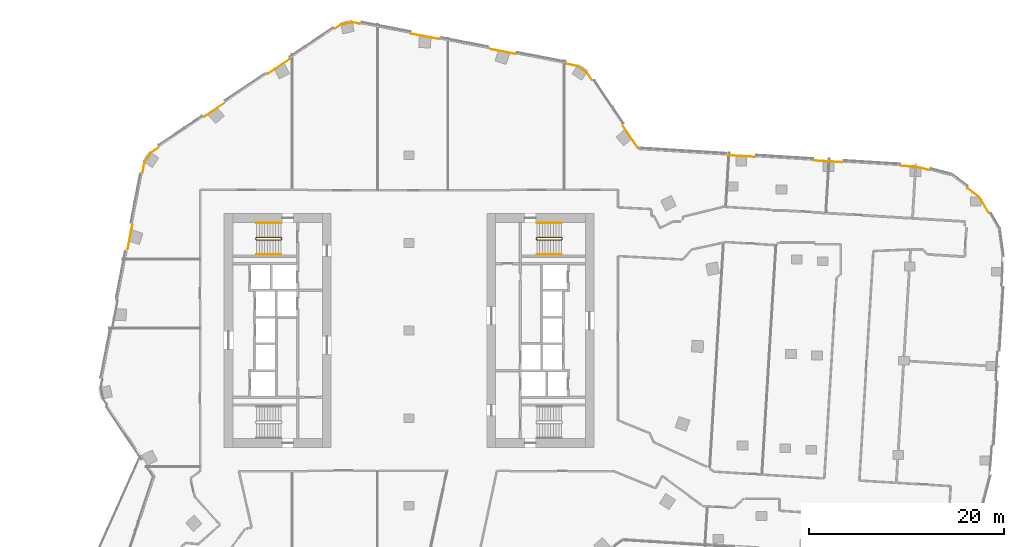
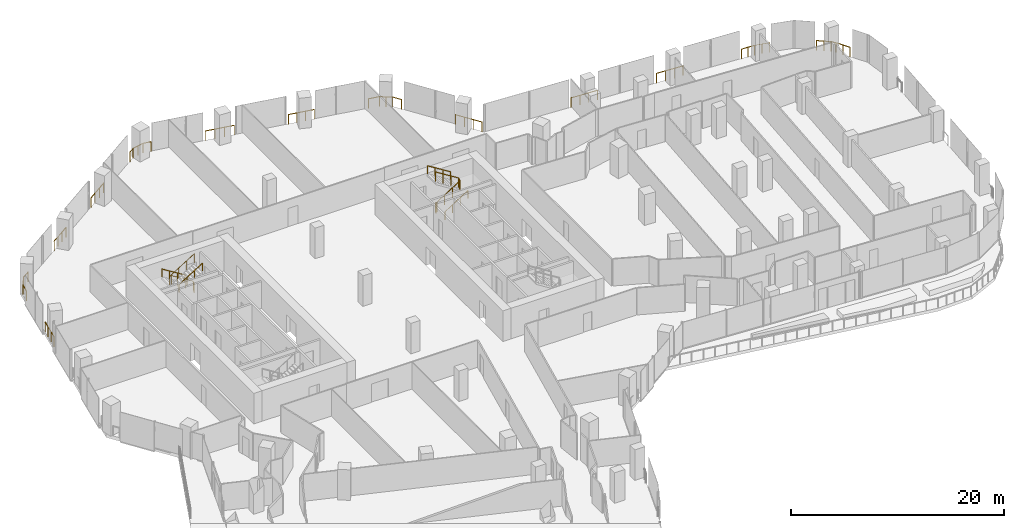
# One storey, part 33 of 34: 20 railings.
"""IFC4 building model written with IfcOpenShell, lengths in metres."""

from ifc_helpers import new_model, si_unit, direction, frame, origin, origin_2d, place, context, subcontext, project, spatial, circle, extrude, material, type_object, element, save


model = new_model("IFC4")

# Units and contexts
model_context = context("Model", 3, precision=1e-05, world=origin(), true_north=direction((0.0, 1.0)))
body_context = subcontext(model_context, "Body", "Model", "MODEL_VIEW")
ifc_project = project(units=[si_unit("LENGTHUNIT", "METRE"), si_unit("AREAUNIT", "SQUARE_METRE"), si_unit("VOLUMEUNIT", "CUBIC_METRE"), si_unit("PLANEANGLEUNIT", "RADIAN"), si_unit("MASSUNIT", "GRAM", prefix="KILO")], contexts=[model_context])

# Site, building, storey
site_placement = place(None, origin())
site = spatial("IfcSite", under=ifc_project, at=site_placement, CompositionType="ELEMENT")
building_placement = place(site_placement, origin())
building = spatial("IfcBuilding", under=site, at=building_placement, Name="Orlundy Tower", CompositionType="ELEMENT")
storey_placement = place(building_placement, frame((0.0, 0.0, 145.60009765625)))
storey = spatial("IfcBuildingStorey", under=building, at=storey_placement, Name="L37", CompositionType="ELEMENT", Elevation=145.60009765625)

# Railings
ifc_material_1 = material(Name="Steel balustrade", Category="steel")
railing_type_1 = type_object("IfcRailingType", Name="Stair Guard 1100", PredefinedType="GUARDRAIL", material=ifc_material_1)
railing_1_placement = place(storey_placement, frame((-13.090087890625, 9.5, 0.0)))
element("IfcRailing", 1, at=railing_1_placement, inside=storey, type_object=railing_type_1, Name="L37 ST-W1 stair guard 1", PredefinedType="GUARDRAIL", context=body_context, shape_type="SweptSolid", body=[
    extrude(circle(Radius=0.02392578125, at=origin_2d()), frame((0.0, 0.0, 1.076171875), z_axis=(0.0, -1.0, 0.0), x_axis=(1.0, 0.0, 0.0)), (0.0, 0.0, 1.0), 0.14990234375),
    extrude(circle(Radius=0.02392578125, at=origin_2d()), frame((0.0, -0.14990234375, 1.076171875), z_axis=(-0.184313129624, 0.739963005698, 0.646902945152), x_axis=(-0.970351222016, -0.241699205484, 0.0)), (0.0, 0.0, 1.0), 0.270263671875),
    extrude(circle(Radius=0.02392578125, at=origin_2d()), frame((-0.0498046875, 0.050048828125, 1.2509765625), z_axis=(-0.847970611238, 0.0, 0.530043245855), x_axis=(0.0, -1.0, 0.0)), (0.0, 0.0, 1.0), 2.971923828125),
    extrude(circle(Radius=0.02392578125, at=origin_2d()), frame((-2.56982421875, 0.050048828125, 2.826171875), z_axis=(-0.707106781187, -0.707106781187, 0.0), x_axis=(0.707106781187, -0.707106781187, 0.0)), (0.0, 0.0, 1.0), 0.07080078125),
    extrude(circle(Radius=0.02392578125, at=origin_2d()), frame((-2.619873046875, 0.0, 2.826171875), z_axis=(0.0, -1.0, 0.0), x_axis=(1.0, 0.0, 0.0)), (0.0, 0.0, 1.0), 0.14990234375),
    extrude(circle(Radius=0.02392578125, at=origin_2d()), frame((-2.619873046875, -0.14990234375, 2.826171875), z_axis=(0.265383341853, -0.265383341853, 0.926899867156), x_axis=(0.707106781187, 0.707106781187, 0.0)), (0.0, 0.0, 1.0), 0.1884765625),
    extrude(circle(Radius=0.02392578125, at=origin_2d()), frame((-2.56982421875, -0.199951171875, 3.0009765625), z_axis=(0.847970611238, 0.0, 0.530043245855), x_axis=(0.0, 1.0, 0.0)), (0.0, 0.0, 1.0), 2.971923828125),
    extrude(circle(Radius=0.02099609375, at=origin_2d()), origin(), (0.0, 0.0, 1.0), 1.052001953125),
    extrude(circle(Radius=0.02099609375, at=origin_2d()), frame((0.0, -0.14990234375, 0.0)), (0.0, 0.0, 1.0), 1.052001953125),
    extrude(circle(Radius=0.02099609375, at=origin_2d()), frame((-0.0498046875, 0.050048828125, 0.1748046875)), (0.0, 0.0, 1.0), 1.052001953125),
    extrude(circle(Radius=0.02099609375, at=origin_2d()), frame((-0.889892578125, 0.050048828125, 0.699951171875)), (0.0, 0.0, 1.0), 1.052001953125),
    extrude(circle(Radius=0.02099609375, at=origin_2d()), frame((-1.729736328125, 0.050048828125, 1.224853515625)), (0.0, 0.0, 1.0), 1.052001953125),
    extrude(circle(Radius=0.02099609375, at=origin_2d()), frame((-2.56982421875, 0.050048828125, 1.75)), (0.0, 0.0, 1.0), 1.052001953125),
    extrude(circle(Radius=0.02099609375, at=origin_2d()), frame((-2.619873046875, 0.0, 1.75)), (0.0, 0.0, 1.0), 1.052001953125),
    extrude(circle(Radius=0.02099609375, at=origin_2d()), frame((-2.619873046875, -0.14990234375, 1.75)), (0.0, 0.0, 1.0), 1.052001953125),
    extrude(circle(Radius=0.02099609375, at=origin_2d()), frame((-2.56982421875, -0.199951171875, 1.9248046875)), (0.0, 0.0, 1.0), 1.052001953125),
    extrude(circle(Radius=0.02099609375, at=origin_2d()), frame((-1.729736328125, -0.199951171875, 2.449951171875)), (0.0, 0.0, 1.0), 1.052001953125),
    extrude(circle(Radius=0.02099609375, at=origin_2d()), frame((-0.889892578125, -0.199951171875, 2.974853515625)), (0.0, 0.0, 1.0), 1.052001953125),
    extrude(circle(Radius=0.02099609375, at=origin_2d()), frame((-0.0498046875, -0.199951171875, 3.5)), (0.0, 0.0, 1.0), 1.052001953125),
])
railing_2_placement = place(storey_placement, frame((13.090087890625, 9.35009765625, 0.0)))
element("IfcRailing", 2, at=railing_2_placement, inside=storey, type_object=railing_type_1, Name="L37 ST-E2 stair guard 1", PredefinedType="GUARDRAIL", context=body_context, shape_type="SweptSolid", body=[
    extrude(circle(Radius=0.02392578125, at=origin_2d()), frame((0.0, 0.0, 1.076171875), z_axis=(0.0, 1.0, 0.0), x_axis=(-1.0, 0.0, 0.0)), (0.0, 0.0, 1.0), 0.14990234375),
    extrude(circle(Radius=0.02392578125, at=origin_2d()), frame((0.0, 0.14990234375, 1.076171875), z_axis=(0.184313129624, -0.739963005698, 0.646902945152), x_axis=(0.970351222016, 0.241699205484, 0.0)), (0.0, 0.0, 1.0), 0.270263671875),
    extrude(circle(Radius=0.02392578125, at=origin_2d()), frame((0.0498046875, -0.050048828125, 1.2509765625), z_axis=(0.847970611238, 0.0, 0.530043245855), x_axis=(0.0, 1.0, 0.0)), (0.0, 0.0, 1.0), 2.971923828125),
    extrude(circle(Radius=0.02392578125, at=origin_2d()), frame((2.56982421875, -0.050048828125, 2.826171875), z_axis=(0.707106781187, 0.707106781187, 0.0), x_axis=(-0.707106781187, 0.707106781187, 0.0)), (0.0, 0.0, 1.0), 0.07080078125),
    extrude(circle(Radius=0.02392578125, at=origin_2d()), frame((2.619873046875, 0.0, 2.826171875), z_axis=(0.0, 1.0, 0.0), x_axis=(-1.0, 0.0, 0.0)), (0.0, 0.0, 1.0), 0.14990234375),
    extrude(circle(Radius=0.02392578125, at=origin_2d()), frame((2.619873046875, 0.14990234375, 2.826171875), z_axis=(-0.265383341853, 0.265383341853, 0.926899867156), x_axis=(-0.707106781187, -0.707106781187, 0.0)), (0.0, 0.0, 1.0), 0.1884765625),
    extrude(circle(Radius=0.02392578125, at=origin_2d()), frame((2.56982421875, 0.199951171875, 3.0009765625), z_axis=(-0.847970611238, 0.0, 0.530043245855), x_axis=(0.0, -1.0, 0.0)), (0.0, 0.0, 1.0), 2.971923828125),
    extrude(circle(Radius=0.02099609375, at=origin_2d()), origin(), (0.0, 0.0, 1.0), 1.052001953125),
    extrude(circle(Radius=0.02099609375, at=origin_2d()), frame((0.0, 0.14990234375, 0.0)), (0.0, 0.0, 1.0), 1.052001953125),
    extrude(circle(Radius=0.02099609375, at=origin_2d()), frame((0.0498046875, -0.050048828125, 0.1748046875)), (0.0, 0.0, 1.0), 1.052001953125),
    extrude(circle(Radius=0.02099609375, at=origin_2d()), frame((0.889892578125, -0.050048828125, 0.699951171875)), (0.0, 0.0, 1.0), 1.052001953125),
    extrude(circle(Radius=0.02099609375, at=origin_2d()), frame((1.729736328125, -0.050048828125, 1.224853515625)), (0.0, 0.0, 1.0), 1.052001953125),
    extrude(circle(Radius=0.02099609375, at=origin_2d()), frame((2.56982421875, -0.050048828125, 1.75)), (0.0, 0.0, 1.0), 1.052001953125),
    extrude(circle(Radius=0.02099609375, at=origin_2d()), frame((2.619873046875, 0.0, 1.75)), (0.0, 0.0, 1.0), 1.052001953125),
    extrude(circle(Radius=0.02099609375, at=origin_2d()), frame((2.619873046875, 0.14990234375, 1.75)), (0.0, 0.0, 1.0), 1.052001953125),
    extrude(circle(Radius=0.02099609375, at=origin_2d()), frame((2.56982421875, 0.199951171875, 1.9248046875)), (0.0, 0.0, 1.0), 1.052001953125),
    extrude(circle(Radius=0.02099609375, at=origin_2d()), frame((1.729736328125, 0.199951171875, 2.449951171875)), (0.0, 0.0, 1.0), 1.052001953125),
    extrude(circle(Radius=0.02099609375, at=origin_2d()), frame((0.889892578125, 0.199951171875, 2.974853515625)), (0.0, 0.0, 1.0), 1.052001953125),
    extrude(circle(Radius=0.02099609375, at=origin_2d()), frame((0.0498046875, 0.199951171875, 3.5)), (0.0, 0.0, 1.0), 1.052001953125),
])
ifc_material_2 = material(Name="Steel handrail", Category="steel")
railing_type_2 = type_object("IfcRailingType", Name="Stair Handrail 900", PredefinedType="HANDRAIL", material=ifc_material_2)
railing_3_placement = place(storey_placement, frame((-13.139892578125, 11.050048828125, 0.1748046875)))
element("IfcRailing", 3, at=railing_3_placement, inside=storey, type_object=railing_type_2, Name="L37 ST-W1 stair handrail 1", PredefinedType="HANDRAIL", context=body_context, shape_type="SweptSolid", body=[
    extrude(circle(Radius=0.02392578125, at=origin_2d()), frame((0.0, 0.0, 0.8759765625), z_axis=(-0.847970611238, 0.0, 0.530043245855), x_axis=(0.0, -1.0, 0.0)), (0.0, 0.0, 1.0), 2.971923828125),
    extrude(circle(Radius=0.02099609375, at=origin_2d()), origin(), (0.0, 0.0, 1.0), 0.851806640625),
    extrude(circle(Radius=0.02099609375, at=origin_2d()), frame((-0.840087890625, 0.0, 0.525146484375)), (0.0, 0.0, 1.0), 0.851806640625),
    extrude(circle(Radius=0.02099609375, at=origin_2d()), frame((-1.679931640625, 0.0, 1.050048828125)), (0.0, 0.0, 1.0), 0.851806640625),
    extrude(circle(Radius=0.02099609375, at=origin_2d()), frame((-2.52001953125, 0.0, 1.5751953125)), (0.0, 0.0, 1.0), 0.851806640625),
])
for number, where, name in (
    (4, (-15.659912109375, 7.800048828125, 1.9248046875), "L37 ST-W1 stair handrail 2"),
    (5, (13.139892578125, 7.800048828125, 0.1748046875), "L37 ST-E2 stair handrail 1"),
):
    element("IfcRailing", number, at=place(storey_placement, frame(where)), inside=storey, type_object=railing_type_2, Name=name, PredefinedType="HANDRAIL", context=body_context, shape_type="SweptSolid", body=[
        extrude(circle(Radius=0.02392578125, at=origin_2d()), frame((0.0, 0.0, 0.8759765625), z_axis=(0.847970611238, 0.0, 0.530043245855), x_axis=(0.0, 1.0, 0.0)), (0.0, 0.0, 1.0), 2.971923828125),
        extrude(circle(Radius=0.02099609375, at=origin_2d()), origin(), (0.0, 0.0, 1.0), 0.851806640625),
        extrude(circle(Radius=0.02099609375, at=origin_2d()), frame((0.840087890625, 0.0, 0.525146484375)), (0.0, 0.0, 1.0), 0.851806640625),
        extrude(circle(Radius=0.02099609375, at=origin_2d()), frame((1.679931640625, 0.0, 1.050048828125)), (0.0, 0.0, 1.0), 0.851806640625),
        extrude(circle(Radius=0.02099609375, at=origin_2d()), frame((2.52001953125, 0.0, 1.5751953125)), (0.0, 0.0, 1.0), 0.851806640625),
    ])
railing_4_placement = place(storey_placement, frame((15.659912109375, 11.050048828125, 1.9248046875)))
element("IfcRailing", 6, at=railing_4_placement, inside=storey, type_object=railing_type_2, Name="L37 ST-E2 stair handrail 2", PredefinedType="HANDRAIL", context=body_context, shape_type="SweptSolid", body=[
    extrude(circle(Radius=0.02392578125, at=origin_2d()), frame((0.0, 0.0, 0.8759765625), z_axis=(-0.847970611238, 0.0, 0.530043245855), x_axis=(0.0, -1.0, 0.0)), (0.0, 0.0, 1.0), 2.971923828125),
    extrude(circle(Radius=0.02099609375, at=origin_2d()), origin(), (0.0, 0.0, 1.0), 0.851806640625),
    extrude(circle(Radius=0.02099609375, at=origin_2d()), frame((-0.840087890625, 0.0, 0.525146484375)), (0.0, 0.0, 1.0), 0.851806640625),
    extrude(circle(Radius=0.02099609375, at=origin_2d()), frame((-1.679931640625, 0.0, 1.050048828125)), (0.0, 0.0, 1.0), 0.851806640625),
    extrude(circle(Radius=0.02099609375, at=origin_2d()), frame((-2.52001953125, 0.0, 1.5751953125)), (0.0, 0.0, 1.0), 0.851806640625),
])
ifc_material_3 = material(Name="Stainless steel bronze finish", Category="steel")
railing_type_3 = type_object("IfcRailingType", Name="TG1 terrace guard", PredefinedType="GUARDRAIL", material=ifc_material_3)
railing_5_placement = place(storey_placement, frame((57.365966796875, 14.59619140625, 0.0)))
element("IfcRailing", 7, at=railing_5_placement, inside=storey, type_object=railing_type_3, Name="Guard TG-L37-E00", PredefinedType="GUARDRAIL", context=body_context, shape_type="SweptSolid", body=[
    extrude(circle(Radius=0.02490234375, at=origin_2d()), frame((0.0, 0.0, 1.09521484375), z_axis=(0.796101541632, -0.605163065141, 0.0), x_axis=(0.605163065141, 0.796101541632, 0.0)), (0.0, 0.0, 1.0), 1.396240234375),
    extrude(circle(Radius=0.02490234375, at=origin_2d()), frame((1.111572265625, -0.844970703125, 1.09521484375), z_axis=(0.624458517419, -0.781057974815, 0.0), x_axis=(0.781057974815, 0.624458517419, 0.0)), (0.0, 0.0, 1.0), 0.503662109375),
    extrude(circle(Radius=0.02490234375, at=origin_2d()), frame((1.426025390625, -1.23828125, 1.09521484375), z_axis=(0.50360719079, -0.863932750499, 0.0), x_axis=(0.863932750499, 0.50360719079, 0.0)), (0.0, 0.0, 1.0), 1.49609375),
    extrude(circle(Radius=0.02001953125, at=origin_2d()), origin(), (0.0, 0.0, 1.0), 1.070068359375),
    extrude(circle(Radius=0.02001953125, at=origin_2d()), frame((0.5556640625, -0.42236328125, 0.0)), (0.0, 0.0, 1.0), 1.070068359375),
    extrude(circle(Radius=0.02001953125, at=origin_2d()), frame((1.111572265625, -0.844970703125, 0.0)), (0.0, 0.0, 1.0), 1.070068359375),
    extrude(circle(Radius=0.02001953125, at=origin_2d()), frame((1.426025390625, -1.23828125, 0.0)), (0.0, 0.0, 1.0), 1.070068359375),
    extrude(circle(Radius=0.02001953125, at=origin_2d()), frame((1.802734375, -1.884521484375, 0.0)), (0.0, 0.0, 1.0), 1.070068359375),
    extrude(circle(Radius=0.02001953125, at=origin_2d()), frame((2.179443359375, -2.53076171875, 0.0)), (0.0, 0.0, 1.0), 1.070068359375),
])
railing_6_placement = place(storey_placement, frame((-27.37548828125, 16.181396484375, 0.0)))
element("IfcRailing", 8, at=railing_6_placement, inside=storey, type_object=railing_type_3, Name="Guard TG-L37-E01", PredefinedType="GUARDRAIL", context=body_context, shape_type="SweptSolid", body=[
    extrude(circle(Radius=0.02490234375, at=origin_2d()), frame((0.0, 0.0, 1.09521484375), z_axis=(0.190704407466, 0.981647507496, 0.0), x_axis=(-0.981647507496, 0.190704407466, 0.0)), (0.0, 0.0, 1.0), 1.067626953125),
    extrude(circle(Radius=0.02490234375, at=origin_2d()), frame((0.20361328125, 1.048095703125, 1.09521484375), z_axis=(0.552283019309, 0.833656683883, 0.0), x_axis=(-0.833656683883, 0.552283019309, 0.0)), (0.0, 0.0, 1.0), 1.259765625),
    extrude(circle(Radius=0.02490234375, at=origin_2d()), frame((0.8994140625, 2.098388671875, 1.09521484375), z_axis=(0.829021392743, 0.55921689028, 0.0), x_axis=(-0.55921689028, 0.829021392743, 0.0)), (0.0, 0.0, 1.0), 0.933837890625),
    extrude(circle(Radius=0.02001953125, at=origin_2d()), origin(), (0.0, 0.0, 1.0), 1.070068359375),
    extrude(circle(Radius=0.02001953125, at=origin_2d()), frame((0.20361328125, 1.048095703125, 0.0)), (0.0, 0.0, 1.0), 1.070068359375),
    extrude(circle(Radius=0.02001953125, at=origin_2d()), frame((0.551513671875, 1.5732421875, 0.0)), (0.0, 0.0, 1.0), 1.070068359375),
    extrude(circle(Radius=0.02001953125, at=origin_2d()), frame((0.8994140625, 2.098388671875, 0.0)), (0.0, 0.0, 1.0), 1.070068359375),
    extrude(circle(Radius=0.02001953125, at=origin_2d()), frame((1.673583984375, 2.62060546875, 0.0)), (0.0, 0.0, 1.0), 1.070068359375),
])
railing_7_placement = place(storey_placement, frame((16.181396484375, 27.37548828125, 0.0)))
element("IfcRailing", 9, at=railing_7_placement, inside=storey, type_object=railing_type_3, Name="Guard TG-L37-E02", PredefinedType="GUARDRAIL", context=body_context, shape_type="SweptSolid", body=[
    extrude(circle(Radius=0.02490234375, at=origin_2d()), frame((0.0, 0.0, 1.09521484375), z_axis=(0.981647507496, -0.190704407466, 0.0), x_axis=(0.190704407466, 0.981647507496, 0.0)), (0.0, 0.0, 1.0), 1.067626953125),
    extrude(circle(Radius=0.02490234375, at=origin_2d()), frame((1.048095703125, -0.20361328125, 1.09521484375), z_axis=(0.833656683883, -0.552283019309, 0.0), x_axis=(0.552283019309, 0.833656683883, 0.0)), (0.0, 0.0, 1.0), 1.259765625),
    extrude(circle(Radius=0.02490234375, at=origin_2d()), frame((2.098388671875, -0.8994140625, 1.09521484375), z_axis=(0.55921689028, -0.829021392743, 0.0), x_axis=(0.829021392743, 0.55921689028, 0.0)), (0.0, 0.0, 1.0), 0.933837890625),
    extrude(circle(Radius=0.02001953125, at=origin_2d()), origin(), (0.0, 0.0, 1.0), 1.070068359375),
    extrude(circle(Radius=0.02001953125, at=origin_2d()), frame((1.048095703125, -0.20361328125, 0.0)), (0.0, 0.0, 1.0), 1.070068359375),
    extrude(circle(Radius=0.02001953125, at=origin_2d()), frame((1.5732421875, -0.551513671875, 0.0)), (0.0, 0.0, 1.0), 1.070068359375),
    extrude(circle(Radius=0.02001953125, at=origin_2d()), frame((2.098388671875, -0.8994140625, 0.0)), (0.0, 0.0, 1.0), 1.070068359375),
    extrude(circle(Radius=0.02001953125, at=origin_2d()), frame((2.62060546875, -1.673583984375, 0.0)), (0.0, 0.0, 1.0), 1.070068359375),
])
railing_8_placement = place(storey_placement, frame((51.923828125, 16.8212890625, 0.0)))
element("IfcRailing", 10, at=railing_8_placement, inside=storey, type_object=railing_type_3, Name="Guard TG-L37-E05", PredefinedType="GUARDRAIL", context=body_context, shape_type="SweptSolid", body=[
    extrude(circle(Radius=0.02490234375, at=origin_2d()), frame((0.0, 0.0, 1.09521484375), z_axis=(0.979579590193, -0.201056774263, 0.0), x_axis=(0.201056774263, 0.979579590193, 0.0)), (0.0, 0.0, 1.0), 0.693359375),
    extrude(circle(Radius=0.02490234375, at=origin_2d()), frame((0.67919921875, -0.139404296875, 1.09521484375), z_axis=(0.967036172406, -0.254639041111, 0.0), x_axis=(0.254639041111, 0.967036172406, 0.0)), (0.0, 0.0, 1.0), 0.824462890625),
    extrude(circle(Radius=0.02490234375, at=origin_2d()), frame((1.4765625, -0.349365234375, 1.09521484375), z_axis=(-0.973102036554, 0.230374535169, 0.0), x_axis=(-0.230374535169, -0.973102036554, 0.0)), (0.0, 0.0, 1.0), 1.457275390625),
    extrude(circle(Radius=0.02001953125, at=origin_2d()), origin(), (0.0, 0.0, 1.0), 1.070068359375),
    extrude(circle(Radius=0.02001953125, at=origin_2d()), frame((0.67919921875, -0.139404296875, 0.0)), (0.0, 0.0, 1.0), 1.070068359375),
    extrude(circle(Radius=0.02001953125, at=origin_2d()), frame((1.4765625, -0.349365234375, 0.0)), (0.0, 0.0, 1.0), 1.070068359375),
    extrude(circle(Radius=0.02001953125, at=origin_2d()), frame((0.767578125, -0.181640625, 0.0)), (0.0, 0.0, 1.0), 1.070068359375),
    extrude(circle(Radius=0.02001953125, at=origin_2d()), frame((0.05859375, -0.013671875, 0.0)), (0.0, 0.0, 1.0), 1.070068359375),
])
railing_9_placement = place(storey_placement, frame((0.256591796875, 30.470947265625, 0.0)))
element("IfcRailing", 11, at=railing_9_placement, inside=storey, type_object=railing_type_3, Name="Guard TG-L37-E09", PredefinedType="GUARDRAIL", context=body_context, shape_type="SweptSolid", body=[
    extrude(circle(Radius=0.02490234375, at=origin_2d()), frame((0.0, 0.0, 1.09521484375), z_axis=(0.981630404885, -0.190792421769, 0.0), x_axis=(0.190792421769, 0.981630404885, 0.0)), (0.0, 0.0, 1.0), 2.87646484375),
    extrude(circle(Radius=0.02001953125, at=origin_2d()), origin(), (0.0, 0.0, 1.0), 1.070068359375),
    extrude(circle(Radius=0.02001953125, at=origin_2d()), frame((0.941162109375, -0.182861328125, 0.0)), (0.0, 0.0, 1.0), 1.070068359375),
    extrude(circle(Radius=0.02001953125, at=origin_2d()), frame((1.882568359375, -0.365966796875, 0.0)), (0.0, 0.0, 1.0), 1.070068359375),
    extrude(circle(Radius=0.02001953125, at=origin_2d()), frame((2.82373046875, -0.548828125, 0.0)), (0.0, 0.0, 1.0), 1.070068359375),
])
railing_10_placement = place(storey_placement, frame((41.6572265625, 17.44921875, 0.0)))
element("IfcRailing", 12, at=railing_10_placement, inside=storey, type_object=railing_type_3, Name="Guard TG-L37-E010", PredefinedType="GUARDRAIL", context=body_context, shape_type="SweptSolid", body=[
    extrude(circle(Radius=0.02490234375, at=origin_2d()), frame((0.0, 0.0, 1.09521484375), z_axis=(0.998135462237, -0.061037685278, 0.0), x_axis=(0.061037685278, 0.998135462237, 0.0)), (0.0, 0.0, 1.0), 2.811767578125),
    extrude(circle(Radius=0.02001953125, at=origin_2d()), origin(), (0.0, 0.0, 1.0), 1.070068359375),
    extrude(circle(Radius=0.02001953125, at=origin_2d()), frame((0.935546875, -0.05712890625, 0.0)), (0.0, 0.0, 1.0), 1.070068359375),
    extrude(circle(Radius=0.02001953125, at=origin_2d()), frame((1.87109375, -0.114501953125, 0.0)), (0.0, 0.0, 1.0), 1.070068359375),
    extrude(circle(Radius=0.02001953125, at=origin_2d()), frame((2.806640625, -0.171630859375, 0.0)), (0.0, 0.0, 1.0), 1.070068359375),
])
railing_11_placement = place(storey_placement, frame((21.94384765625, 21.044189453125, 0.0)))
element("IfcRailing", 13, at=railing_11_placement, inside=storey, type_object=railing_type_3, Name="Guard TG-L37-E011", PredefinedType="GUARDRAIL", context=body_context, shape_type="SweptSolid", body=[
    extrude(circle(Radius=0.02490234375, at=origin_2d()), frame((0.0, 0.0, 1.09521484375), z_axis=(0.559221505238, -0.829018279702, 0.0), x_axis=(0.829018279702, 0.559221505238, 0.0)), (0.0, 0.0, 1.0), 2.7861328125),
    extrude(circle(Radius=0.02001953125, at=origin_2d()), origin(), (0.0, 0.0, 1.0), 1.070068359375),
    extrude(circle(Radius=0.02001953125, at=origin_2d()), frame((0.519287109375, -0.77001953125, 0.0)), (0.0, 0.0, 1.0), 1.070068359375),
    extrude(circle(Radius=0.02001953125, at=origin_2d()), frame((1.038818359375, -1.539794921875, 0.0)), (0.0, 0.0, 1.0), 1.070068359375),
    extrude(circle(Radius=0.02001953125, at=origin_2d()), frame((1.55810546875, -2.309814453125, 0.0)), (0.0, 0.0, 1.0), 1.070068359375),
])
railing_12_placement = place(storey_placement, frame((32.733642578125, 17.9951171875, 0.0)))
element("IfcRailing", 14, at=railing_12_placement, inside=storey, type_object=railing_type_3, Name="Guard TG-L37-E012", PredefinedType="GUARDRAIL", context=body_context, shape_type="SweptSolid", body=[
    extrude(circle(Radius=0.02490234375, at=origin_2d()), frame((0.0, 0.0, 1.09521484375), z_axis=(0.998134336603, -0.061056089739, 0.0), x_axis=(0.061056089739, 0.998134336603, 0.0)), (0.0, 0.0, 1.0), 2.759033203125),
    extrude(circle(Radius=0.02001953125, at=origin_2d()), origin(), (0.0, 0.0, 1.0), 1.070068359375),
    extrude(circle(Radius=0.02001953125, at=origin_2d()), frame((0.91796875, -0.05615234375, 0.0)), (0.0, 0.0, 1.0), 1.070068359375),
    extrude(circle(Radius=0.02001953125, at=origin_2d()), frame((1.8359375, -0.1123046875, 0.0)), (0.0, 0.0, 1.0), 1.070068359375),
    extrude(circle(Radius=0.02001953125, at=origin_2d()), frame((2.75390625, -0.16845703125, 0.0)), (0.0, 0.0, 1.0), 1.070068359375),
])
railing_13_placement = place(storey_placement, frame((-14.52734375, 26.339599609375, 0.0)))
element("IfcRailing", 15, at=railing_13_placement, inside=storey, type_object=railing_type_3, Name="Guard TG-L37-E013", PredefinedType="GUARDRAIL", context=body_context, shape_type="SweptSolid", body=[
    extrude(circle(Radius=0.02490234375, at=origin_2d()), frame((0.0, 0.0, 1.09521484375), z_axis=(0.829027819311, 0.559207362978, 0.0), x_axis=(-0.559207362978, 0.829027819311, 0.0)), (0.0, 0.0, 1.0), 2.732666015625),
    extrude(circle(Radius=0.02001953125, at=origin_2d()), origin(), (0.0, 0.0, 1.0), 1.070068359375),
    extrude(circle(Radius=0.02001953125, at=origin_2d()), frame((0.755126953125, 0.50927734375, 0.0)), (0.0, 0.0, 1.0), 1.070068359375),
    extrude(circle(Radius=0.02001953125, at=origin_2d()), frame((1.51025390625, 1.018798828125, 0.0)), (0.0, 0.0, 1.0), 1.070068359375),
    extrude(circle(Radius=0.02001953125, at=origin_2d()), frame((2.265380859375, 1.528076171875, 0.0)), (0.0, 0.0, 1.0), 1.070068359375),
])
railing_14_placement = place(storey_placement, frame((-7.5966796875, 31.014404296875, 0.0)))
element("IfcRailing", 16, at=railing_14_placement, inside=storey, type_object=railing_type_3, Name="Guard TG-L37-E014", PredefinedType="GUARDRAIL", context=body_context, shape_type="SweptSolid", body=[
    extrude(circle(Radius=0.02490234375, at=origin_2d()), frame((0.0, 0.0, 1.09521484375), z_axis=(0.829014339942, 0.559227345693, 0.0), x_axis=(-0.559227345693, 0.829014339942, 0.0)), (0.0, 0.0, 1.0), 0.683349609375),
    extrude(circle(Radius=0.02490234375, at=origin_2d()), frame((0.56640625, 0.382080078125, 1.09521484375), z_axis=(0.979957184638, 0.199208223415, 0.0), x_axis=(-0.199208223415, 0.979957184638, 0.0)), (0.0, 0.0, 1.0), 1.259765625),
    extrude(circle(Radius=0.02490234375, at=origin_2d()), frame((1.801025390625, 0.633056640625, 1.09521484375), z_axis=(0.98163846983, -0.190750922801, 0.0), x_axis=(0.190750922801, 0.98163846983, 0.0)), (0.0, 0.0, 1.0), 0.7705078125),
    extrude(circle(Radius=0.02001953125, at=origin_2d()), origin(), (0.0, 0.0, 1.0), 1.070068359375),
    extrude(circle(Radius=0.02001953125, at=origin_2d()), frame((0.56640625, 0.382080078125, 0.0)), (0.0, 0.0, 1.0), 1.070068359375),
    extrude(circle(Radius=0.02001953125, at=origin_2d()), frame((1.18359375, 0.507568359375, 0.0)), (0.0, 0.0, 1.0), 1.070068359375),
    extrude(circle(Radius=0.02001953125, at=origin_2d()), frame((1.801025390625, 0.633056640625, 0.0)), (0.0, 0.0, 1.0), 1.070068359375),
    extrude(circle(Radius=0.02001953125, at=origin_2d()), frame((2.557373046875, 0.486083984375, 0.0)), (0.0, 0.0, 1.0), 1.070068359375),
])
railing_15_placement = place(storey_placement, frame((-28.8974609375, 8.352294921875, 0.0)))
element("IfcRailing", 17, at=railing_15_placement, inside=storey, type_object=railing_type_3, Name="Guard TG-L37-E016", PredefinedType="GUARDRAIL", context=body_context, shape_type="SweptSolid", body=[
    extrude(circle(Radius=0.02490234375, at=origin_2d()), frame((0.0, 0.0, 1.09521484375), z_axis=(0.190798729708, 0.981629178836, 0.0), x_axis=(-0.981629178836, 0.190798729708, 0.0)), (0.0, 0.0, 1.0), 2.57958984375),
    extrude(circle(Radius=0.02001953125, at=origin_2d()), origin(), (0.0, 0.0, 1.0), 1.070068359375),
    extrude(circle(Radius=0.02001953125, at=origin_2d()), frame((0.1640625, 0.843994140625, 0.0)), (0.0, 0.0, 1.0), 1.070068359375),
    extrude(circle(Radius=0.02001953125, at=origin_2d()), frame((0.328125, 1.688232421875, 0.0)), (0.0, 0.0, 1.0), 1.070068359375),
    extrude(circle(Radius=0.02001953125, at=origin_2d()), frame((0.4921875, 2.5322265625, 0.0)), (0.0, 0.0, 1.0), 1.070068359375),
])
railing_16_placement = place(storey_placement, frame((8.352294921875, 28.8974609375, 0.0)))
element("IfcRailing", 18, at=railing_16_placement, inside=storey, type_object=railing_type_3, Name="Guard TG-L37-E017", PredefinedType="GUARDRAIL", context=body_context, shape_type="SweptSolid", body=[
    extrude(circle(Radius=0.02490234375, at=origin_2d()), frame((0.0, 0.0, 1.09521484375), z_axis=(0.981629178836, -0.190798729708, 0.0), x_axis=(0.190798729708, 0.981629178836, 0.0)), (0.0, 0.0, 1.0), 2.57958984375),
    extrude(circle(Radius=0.02001953125, at=origin_2d()), origin(), (0.0, 0.0, 1.0), 1.070068359375),
    extrude(circle(Radius=0.02001953125, at=origin_2d()), frame((0.843994140625, -0.1640625, 0.0)), (0.0, 0.0, 1.0), 1.070068359375),
    extrude(circle(Radius=0.02001953125, at=origin_2d()), frame((1.688232421875, -0.328125, 0.0)), (0.0, 0.0, 1.0), 1.070068359375),
    extrude(circle(Radius=0.02001953125, at=origin_2d()), frame((2.5322265625, -0.4921875, 0.0)), (0.0, 0.0, 1.0), 1.070068359375),
])
railing_17_placement = place(storey_placement, frame((-21.044189453125, 21.943603515625, 0.0)))
element("IfcRailing", 19, at=railing_17_placement, inside=storey, type_object=railing_type_3, Name="Guard TG-L37-E018", PredefinedType="GUARDRAIL", context=body_context, shape_type="SweptSolid", body=[
    extrude(circle(Radius=0.02490234375, at=origin_2d()), frame((0.0, 0.0, 1.09521484375), z_axis=(0.829021392743, 0.55921689028, 0.0), x_axis=(-0.55921689028, 0.829021392743, 0.0)), (0.0, 0.0, 1.0), 2.490234375),
    extrude(circle(Radius=0.02001953125, at=origin_2d()), origin(), (0.0, 0.0, 1.0), 1.070068359375),
    extrude(circle(Radius=0.02001953125, at=origin_2d()), frame((0.688232421875, 0.464111328125, 0.0)), (0.0, 0.0, 1.0), 1.070068359375),
    extrude(circle(Radius=0.02001953125, at=origin_2d()), frame((1.376220703125, 0.928466796875, 0.0)), (0.0, 0.0, 1.0), 1.070068359375),
    extrude(circle(Radius=0.02001953125, at=origin_2d()), frame((2.064453125, 1.392578125, 0.0)), (0.0, 0.0, 1.0), 1.070068359375),
])
railing_18_placement = place(storey_placement, frame((50.585693359375, 16.903076171875, 0.0)))
element("IfcRailing", 20, at=railing_18_placement, inside=storey, type_object=railing_type_3, Name="Guard TG-L37-E024", PredefinedType="GUARDRAIL", context=body_context, shape_type="SweptSolid", body=[
    extrude(circle(Radius=0.02490234375, at=origin_2d()), frame((0.0, 0.0, 1.09521484375), z_axis=(0.998137375536, -0.061006389492, 0.0), x_axis=(0.061006389492, 0.998137375536, 0.0)), (0.0, 0.0, 1.0), 1.340576171875),
    extrude(circle(Radius=0.02001953125, at=origin_2d()), origin(), (0.0, 0.0, 1.0), 1.070068359375),
    extrude(circle(Radius=0.02001953125, at=origin_2d()), frame((0.6689453125, -0.041015625, 0.0)), (0.0, 0.0, 1.0), 1.070068359375),
    extrude(circle(Radius=0.02001953125, at=origin_2d()), frame((1.338134765625, -0.081787109375, 0.0)), (0.0, 0.0, 1.0), 1.070068359375),
])

save(model, "model.ifc")
